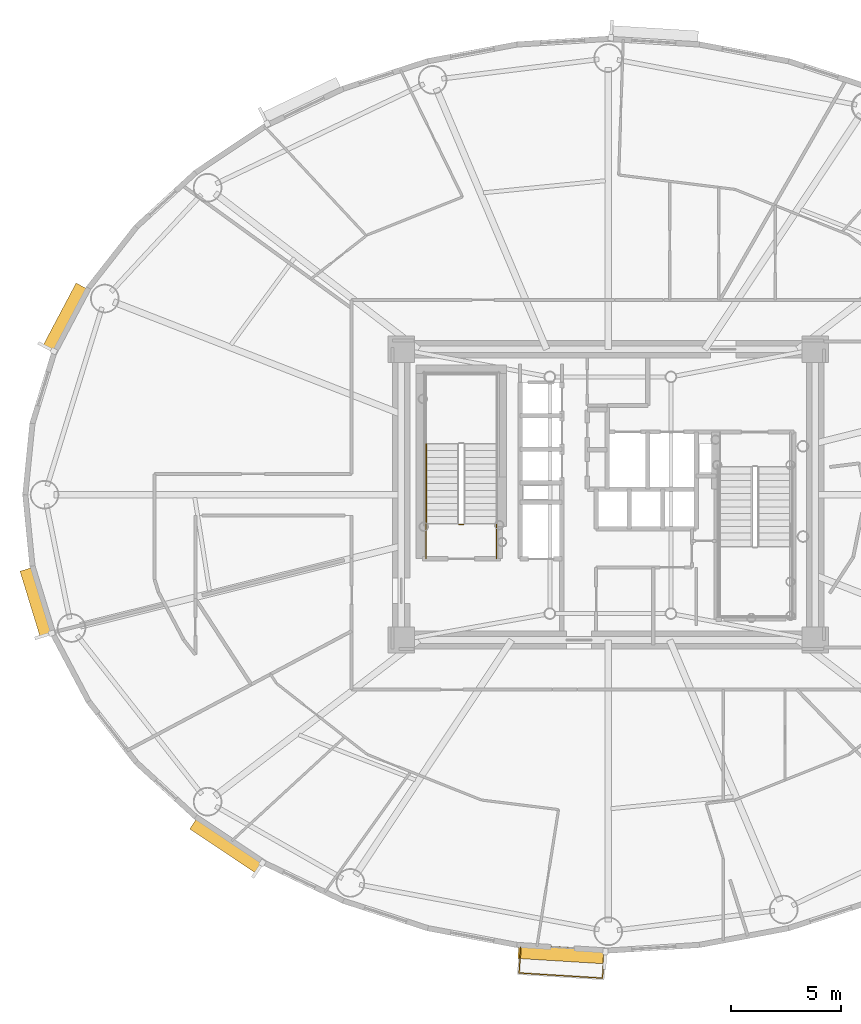
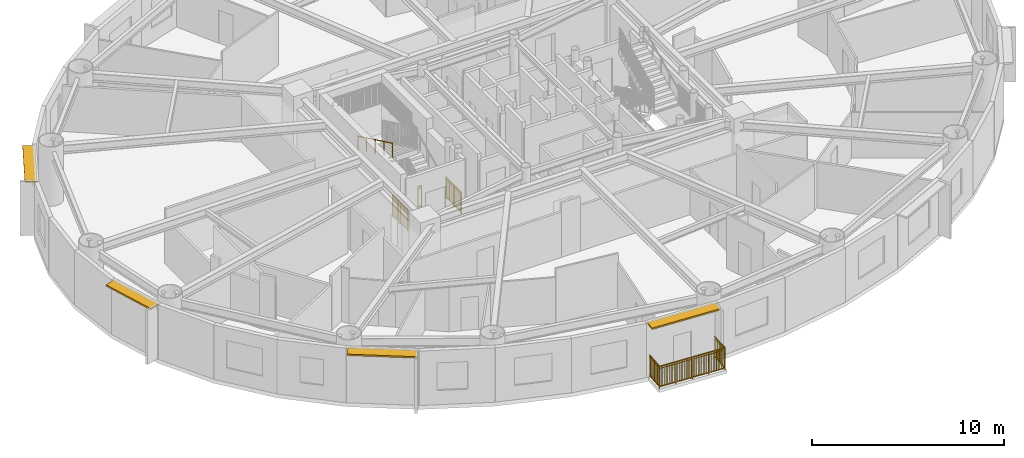
# One storey, part 12 of 17: 5 railings, 4 shading devices.
"""IFC4 building model written with IfcOpenShell, lengths in metres."""

from ifc_helpers import new_model, si_unit, direction, frame, origin, origin_2d, place, context, subcontext, project, spatial, rectangle, extrude, source, transform, mapped, material, layer, layer_set, type_object, element, save


model = new_model("IFC4")

# Units and contexts
model_context = context("Model", 3, precision=1e-05, world=origin(), true_north=direction((0.0, 1.0)))
body_context = subcontext(model_context, "Body", "Model", "MODEL_VIEW")
ifc_project = project(units=[si_unit("LENGTHUNIT", "METRE"), si_unit("AREAUNIT", "SQUARE_METRE"), si_unit("VOLUMEUNIT", "CUBIC_METRE"), si_unit("PLANEANGLEUNIT", "RADIAN"), si_unit("MASSUNIT", "GRAM", prefix="KILO")], contexts=[model_context])

# Site, building, storey
site_placement = place(None, origin())
site = spatial("IfcSite", under=ifc_project, at=site_placement, CompositionType="ELEMENT")
building_placement = place(site_placement, origin())
building = spatial("IfcBuilding", under=site, at=building_placement, Name="Linh Dai School and Residence Tower", CompositionType="ELEMENT")
storey_placement = place(building_placement, frame((0.0, 0.0, 201.14990234375)))
storey = spatial("IfcBuildingStorey", under=building, at=storey_placement, Name="L49", CompositionType="ELEMENT", Elevation=201.14990234375)

# Shading devices
ifc_material_1 = material(Name="Terracotta Ceramic Sunshade", Category="masonry")
ifc_layer = layer(ifc_material_1, 0.10009765625)
ifc_layer_set = layer_set([ifc_layer], Name="Terracotta Ceramic Sunshade")
shading_device_type = type_object("IfcShadingDeviceType", Name="SHD-TC-650", PredefinedType="USERDEFINED", material=ifc_layer_set)
shared_shape_1 = source(origin(), body_context, "Body", "SweptSolid", [
    extrude(rectangle(XDim=3.168212890625, YDim=0.64990234375, at=origin_2d()), origin(), (0.0, 0.0, 1.0), 0.10009765625),
])
shading_device_1_placement = place(storey_placement, frame((10.061279296875, 22.105224609375, 3.330078125), z_axis=(0.0, 0.0, 1.0), x_axis=(-0.293121969301, 0.956075055167, 0.0)))
element("IfcShadingDevice", 1, at=shading_device_1_placement, inside=storey, type_object=shading_device_type, Name="L49 Terracotta Horizontal Sunshade Band 22", ObjectType="SUNSHADE", PredefinedType="USERDEFINED", context=body_context, shape_type="MappedRepresentation", body=[
    mapped(shared_shape_1, transform((0.0, 0.0, 0.0), x_axis=(1.0, 0.0, 0.0), y_axis=(0.0, 1.0, 0.0), z_axis=(0.0, 0.0, 1.0), scale=1.0)),
])
shared_shape_2 = source(origin(), body_context, "Body", "SweptSolid", [
    extrude(rectangle(XDim=3.64794921875, YDim=0.64990234375, at=origin_2d()), origin(), (0.0, 0.0, 1.0), 0.10009765625),
])
shading_device_2_placement = place(storey_placement, frame((18.68896484375, 11.076171875, 3.330078125), z_axis=(0.0, 0.0, 1.0), x_axis=(-0.831228338651, 0.555931154932, 0.0)))
element("IfcShadingDevice", 2, at=shading_device_2_placement, inside=storey, type_object=shading_device_type, Name="L49 Terracotta Horizontal Sunshade Band 26", ObjectType="SUNSHADE", PredefinedType="USERDEFINED", context=body_context, shape_type="MappedRepresentation", body=[
    mapped(shared_shape_2, transform((0.0, 0.0, 0.0), x_axis=(1.0, 0.0, 0.0), y_axis=(0.0, 1.0, 0.0), z_axis=(0.0, 0.0, 1.0), scale=1.0)),
])
shared_shape_3 = source(origin(), body_context, "Body", "SweptSolid", [
    extrude(rectangle(XDim=3.987548828125, YDim=0.64990234375, at=origin_2d()), origin(), (0.0, 0.0, 1.0), 0.10009765625),
])
shading_device_3_placement = place(storey_placement, frame((33.90966796875, 6.13818359375, 3.330078125), z_axis=(0.0, 0.0, 1.0), x_axis=(-0.99810632076, 0.061512376467, 0.0)))
element("IfcShadingDevice", 3, at=shading_device_3_placement, inside=storey, type_object=shading_device_type, Name="L49 Terracotta Horizontal Sunshade Band 30", ObjectType="SUNSHADE", PredefinedType="USERDEFINED", context=body_context, shape_type="MappedRepresentation", body=[
    mapped(shared_shape_3, transform((0.0, 0.0, 0.0), x_axis=(1.0, 0.0, 0.0), y_axis=(0.0, 1.0, 0.0), z_axis=(0.0, 0.0, 1.0), scale=1.0)),
])
shared_shape_4 = source(origin(), body_context, "Body", "SweptSolid", [
    extrude(rectangle(XDim=3.257568359375, YDim=0.64990234375, at=origin_2d()), origin(), (0.0, 0.0, 1.0), 0.10009765625),
])
shading_device_4_placement = place(storey_placement, frame((11.358642578125, 35.02197265625, 3.330078125), z_axis=(0.0, 0.0, 1.0), x_axis=(0.467580060884, 0.883950726378, 0.0)))
element("IfcShadingDevice", 4, at=shading_device_4_placement, inside=storey, type_object=shading_device_type, Name="L49 Terracotta Horizontal Sunshade Band 18", ObjectType="SUNSHADE", PredefinedType="USERDEFINED", context=body_context, shape_type="MappedRepresentation", body=[
    mapped(shared_shape_4, transform((0.0, 0.0, 0.0), x_axis=(1.0, 0.0, 0.0), y_axis=(0.0, 1.0, 0.0), z_axis=(0.0, 0.0, 1.0), scale=1.0)),
])

# Railings
ifc_material_2 = material(Name="Structural Steel S355JR", Category="steel")
railing_type_1 = type_object("IfcRailingType", Name="RL-BAL-1400", PredefinedType="BALUSTRADE", material=ifc_material_2)
shared_shape_5 = source(origin(), body_context, "Body", "SweptSolid", [
    extrude(rectangle(XDim=0.048095703125, YDim=0.048095703125, at=origin_2d()), frame((0.0, 0.0, 1.3759765625), z_axis=(-0.061656929038, -0.99809740161, 0.0), x_axis=(0.99809740161, -0.061656929038, 0.0)), (0.0, 0.0, 1.0), 1.179931640625),
    extrude(rectangle(XDim=0.048095703125, YDim=0.048095703125, at=origin_2d()), frame((0.0, 0.0, 0.10009765625), z_axis=(-0.061656929038, -0.99809740161, 0.0), x_axis=(0.99809740161, -0.061656929038, 0.0)), (0.0, 0.0, 1.0), 1.179931640625),
    extrude(rectangle(XDim=0.030029296875, YDim=0.030029296875, at=origin_2d()), frame((0.0, 0.0, 1.239990234375), z_axis=(-0.061656929038, -0.99809740161, 0.0), x_axis=(0.99809740161, -0.061656929038, 0.0)), (0.0, 0.0, 1.0), 1.179931640625),
    extrude(rectangle(XDim=0.02001953125, YDim=0.02001953125, at=origin_2d()), frame((-0.005615234375, -0.090576171875, 0.10009765625)), (0.0, 0.0, 1.0), 1.251708984375),
    extrude(rectangle(XDim=0.02001953125, YDim=0.02001953125, at=origin_2d()), frame((-0.01123046875, -0.18115234375, 0.10009765625)), (0.0, 0.0, 1.0), 1.251708984375),
    extrude(rectangle(XDim=0.02001953125, YDim=0.02001953125, at=origin_2d()), frame((-0.016845703125, -0.271728515625, 0.10009765625)), (0.0, 0.0, 1.0), 1.251708984375),
    extrude(rectangle(XDim=0.02001953125, YDim=0.02001953125, at=origin_2d()), frame((-0.0224609375, -0.3623046875, 0.10009765625)), (0.0, 0.0, 1.0), 1.251708984375),
    extrude(rectangle(XDim=0.02001953125, YDim=0.02001953125, at=origin_2d()), frame((-0.028076171875, -0.452880859375, 0.10009765625)), (0.0, 0.0, 1.0), 1.251708984375),
    extrude(rectangle(XDim=0.02001953125, YDim=0.02001953125, at=origin_2d()), frame((-0.03369140625, -0.54345703125, 0.10009765625)), (0.0, 0.0, 1.0), 1.251708984375),
    extrude(rectangle(XDim=0.02001953125, YDim=0.02001953125, at=origin_2d()), frame((-0.0390625, -0.63427734375, 0.10009765625)), (0.0, 0.0, 1.0), 1.251708984375),
    extrude(rectangle(XDim=0.02001953125, YDim=0.02001953125, at=origin_2d()), frame((-0.044677734375, -0.724853515625, 0.10009765625)), (0.0, 0.0, 1.0), 1.251708984375),
    extrude(rectangle(XDim=0.02001953125, YDim=0.02001953125, at=origin_2d()), frame((-0.05029296875, -0.8154296875, 0.10009765625)), (0.0, 0.0, 1.0), 1.251708984375),
    extrude(rectangle(XDim=0.02001953125, YDim=0.02001953125, at=origin_2d()), frame((-0.055908203125, -0.906005859375, 0.10009765625)), (0.0, 0.0, 1.0), 1.251708984375),
    extrude(rectangle(XDim=0.02001953125, YDim=0.02001953125, at=origin_2d()), frame((-0.0615234375, -0.99658203125, 0.10009765625)), (0.0, 0.0, 1.0), 1.251708984375),
    extrude(rectangle(XDim=0.02001953125, YDim=0.02001953125, at=origin_2d()), frame((-0.067138671875, -1.087158203125, 0.10009765625)), (0.0, 0.0, 1.0), 1.251708984375),
    extrude(rectangle(XDim=0.048095703125, YDim=0.048095703125, at=origin_2d()), frame((-0.07275390625, -1.177734375, 1.3759765625), z_axis=(-0.998105551914, 0.061524850579, 0.0), x_axis=(-0.061524850579, -0.998105551914, 0.0)), (0.0, 0.0, 1.0), 3.79345703125),
    extrude(rectangle(XDim=0.048095703125, YDim=0.048095703125, at=origin_2d()), frame((-0.07275390625, -1.177734375, 0.10009765625), z_axis=(-0.998105551914, 0.061524850579, 0.0), x_axis=(-0.061524850579, -0.998105551914, 0.0)), (0.0, 0.0, 1.0), 3.79345703125),
    extrude(rectangle(XDim=0.030029296875, YDim=0.030029296875, at=origin_2d()), frame((-0.07275390625, -1.177734375, 1.239990234375), z_axis=(-0.998105551914, 0.061524850579, 0.0), x_axis=(-0.061524850579, -0.998105551914, 0.0)), (0.0, 0.0, 1.0), 3.79345703125),
    extrude(rectangle(XDim=0.02001953125, YDim=0.02001953125, at=origin_2d()), frame((-0.169921875, -1.171630859375, 0.10009765625)), (0.0, 0.0, 1.0), 1.251708984375),
    extrude(rectangle(XDim=0.02001953125, YDim=0.02001953125, at=origin_2d()), frame((-0.266845703125, -1.165771484375, 0.10009765625)), (0.0, 0.0, 1.0), 1.251708984375),
    extrude(rectangle(XDim=0.02001953125, YDim=0.02001953125, at=origin_2d()), frame((-0.364013671875, -1.15966796875, 0.10009765625)), (0.0, 0.0, 1.0), 1.251708984375),
    extrude(rectangle(XDim=0.02001953125, YDim=0.02001953125, at=origin_2d()), frame((-0.461181640625, -1.15380859375, 0.10009765625)), (0.0, 0.0, 1.0), 1.251708984375),
    extrude(rectangle(XDim=0.02001953125, YDim=0.02001953125, at=origin_2d()), frame((-0.55810546875, -1.147705078125, 0.10009765625)), (0.0, 0.0, 1.0), 1.251708984375),
    extrude(rectangle(XDim=0.02001953125, YDim=0.02001953125, at=origin_2d()), frame((-0.6552734375, -1.141845703125, 0.10009765625)), (0.0, 0.0, 1.0), 1.251708984375),
    extrude(rectangle(XDim=0.02001953125, YDim=0.02001953125, at=origin_2d()), frame((-0.75244140625, -1.1357421875, 0.10009765625)), (0.0, 0.0, 1.0), 1.251708984375),
    extrude(rectangle(XDim=0.02001953125, YDim=0.02001953125, at=origin_2d()), frame((-0.849365234375, -1.1298828125, 0.10009765625)), (0.0, 0.0, 1.0), 1.251708984375),
    extrude(rectangle(XDim=0.02001953125, YDim=0.02001953125, at=origin_2d()), frame((-0.946533203125, -1.123779296875, 0.10009765625)), (0.0, 0.0, 1.0), 1.251708984375),
    extrude(rectangle(XDim=0.02001953125, YDim=0.02001953125, at=origin_2d()), frame((-1.140625, -1.11181640625, 0.10009765625)), (0.0, 0.0, 1.0), 1.251708984375),
    extrude(rectangle(XDim=0.02001953125, YDim=0.02001953125, at=origin_2d()), frame((-1.23779296875, -1.10595703125, 0.10009765625)), (0.0, 0.0, 1.0), 1.251708984375),
    extrude(rectangle(XDim=0.02001953125, YDim=0.02001953125, at=origin_2d()), frame((-1.3349609375, -1.099853515625, 0.10009765625)), (0.0, 0.0, 1.0), 1.251708984375),
    extrude(rectangle(XDim=0.02001953125, YDim=0.02001953125, at=origin_2d()), frame((-1.431884765625, -1.093994140625, 0.10009765625)), (0.0, 0.0, 1.0), 1.251708984375),
    extrude(rectangle(XDim=0.02001953125, YDim=0.02001953125, at=origin_2d()), frame((-1.529052734375, -1.087890625, 0.10009765625)), (0.0, 0.0, 1.0), 1.251708984375),
    extrude(rectangle(XDim=0.02001953125, YDim=0.02001953125, at=origin_2d()), frame((-1.626220703125, -1.08203125, 0.10009765625)), (0.0, 0.0, 1.0), 1.251708984375),
    extrude(rectangle(XDim=0.02001953125, YDim=0.02001953125, at=origin_2d()), frame((-1.72314453125, -1.075927734375, 0.10009765625)), (0.0, 0.0, 1.0), 1.251708984375),
    extrude(rectangle(XDim=0.02001953125, YDim=0.02001953125, at=origin_2d()), frame((-1.8203125, -1.070068359375, 0.10009765625)), (0.0, 0.0, 1.0), 1.251708984375),
    extrude(rectangle(XDim=0.02001953125, YDim=0.02001953125, at=origin_2d()), frame((-1.91748046875, -1.06396484375, 0.10009765625)), (0.0, 0.0, 1.0), 1.251708984375),
    extrude(rectangle(XDim=0.02001953125, YDim=0.02001953125, at=origin_2d()), frame((-2.014404296875, -1.05810546875, 0.10009765625)), (0.0, 0.0, 1.0), 1.251708984375),
    extrude(rectangle(XDim=0.02001953125, YDim=0.02001953125, at=origin_2d()), frame((-2.111572265625, -1.052001953125, 0.10009765625)), (0.0, 0.0, 1.0), 1.251708984375),
    extrude(rectangle(XDim=0.02001953125, YDim=0.02001953125, at=origin_2d()), frame((-2.208740234375, -1.046142578125, 0.10009765625)), (0.0, 0.0, 1.0), 1.251708984375),
    extrude(rectangle(XDim=0.02001953125, YDim=0.02001953125, at=origin_2d()), frame((-2.3056640625, -1.0400390625, 0.10009765625)), (0.0, 0.0, 1.0), 1.251708984375),
    extrude(rectangle(XDim=0.02001953125, YDim=0.02001953125, at=origin_2d()), frame((-2.40283203125, -1.0341796875, 0.10009765625)), (0.0, 0.0, 1.0), 1.251708984375),
    extrude(rectangle(XDim=0.02001953125, YDim=0.02001953125, at=origin_2d()), frame((-2.5, -1.028076171875, 0.10009765625)), (0.0, 0.0, 1.0), 1.251708984375),
    extrude(rectangle(XDim=0.02001953125, YDim=0.02001953125, at=origin_2d()), frame((-2.596923828125, -1.022216796875, 0.10009765625)), (0.0, 0.0, 1.0), 1.251708984375),
    extrude(rectangle(XDim=0.02001953125, YDim=0.02001953125, at=origin_2d()), frame((-2.694091796875, -1.01611328125, 0.10009765625)), (0.0, 0.0, 1.0), 1.251708984375),
    extrude(rectangle(XDim=0.02001953125, YDim=0.02001953125, at=origin_2d()), frame((-2.791259765625, -1.01025390625, 0.10009765625)), (0.0, 0.0, 1.0), 1.251708984375),
    extrude(rectangle(XDim=0.02001953125, YDim=0.02001953125, at=origin_2d()), frame((-2.9853515625, -0.998291015625, 0.10009765625)), (0.0, 0.0, 1.0), 1.251708984375),
    extrude(rectangle(XDim=0.02001953125, YDim=0.02001953125, at=origin_2d()), frame((-3.08251953125, -0.9921875, 0.10009765625)), (0.0, 0.0, 1.0), 1.251708984375),
    extrude(rectangle(XDim=0.02001953125, YDim=0.02001953125, at=origin_2d()), frame((-3.179443359375, -0.986328125, 0.10009765625)), (0.0, 0.0, 1.0), 1.251708984375),
    extrude(rectangle(XDim=0.02001953125, YDim=0.02001953125, at=origin_2d()), frame((-3.276611328125, -0.980224609375, 0.10009765625)), (0.0, 0.0, 1.0), 1.251708984375),
    extrude(rectangle(XDim=0.02001953125, YDim=0.02001953125, at=origin_2d()), frame((-3.373779296875, -0.974365234375, 0.10009765625)), (0.0, 0.0, 1.0), 1.251708984375),
    extrude(rectangle(XDim=0.02001953125, YDim=0.02001953125, at=origin_2d()), frame((-3.470703125, -0.96826171875, 0.10009765625)), (0.0, 0.0, 1.0), 1.251708984375),
    extrude(rectangle(XDim=0.02001953125, YDim=0.02001953125, at=origin_2d()), frame((-3.56787109375, -0.96240234375, 0.10009765625)), (0.0, 0.0, 1.0), 1.251708984375),
    extrude(rectangle(XDim=0.02001953125, YDim=0.02001953125, at=origin_2d()), frame((-3.6650390625, -0.956298828125, 0.10009765625)), (0.0, 0.0, 1.0), 1.251708984375),
    extrude(rectangle(XDim=0.02001953125, YDim=0.02001953125, at=origin_2d()), frame((-3.761962890625, -0.950439453125, 0.10009765625)), (0.0, 0.0, 1.0), 1.251708984375),
    extrude(rectangle(XDim=0.048095703125, YDim=0.048095703125, at=origin_2d()), frame((-3.859130859375, -0.9443359375, 1.3759765625), z_axis=(0.061450809207, 0.998110113188, 0.0), x_axis=(-0.998110113188, 0.061450809207, 0.0)), (0.0, 0.0, 1.0), 1.179931640625),
    extrude(rectangle(XDim=0.048095703125, YDim=0.048095703125, at=origin_2d()), frame((-3.859130859375, -0.9443359375, 0.10009765625), z_axis=(0.061450809207, 0.998110113188, 0.0), x_axis=(-0.998110113188, 0.061450809207, 0.0)), (0.0, 0.0, 1.0), 1.179931640625),
    extrude(rectangle(XDim=0.030029296875, YDim=0.030029296875, at=origin_2d()), frame((-3.859130859375, -0.9443359375, 1.239990234375), z_axis=(0.061450809207, 0.998110113188, 0.0), x_axis=(-0.998110113188, 0.061450809207, 0.0)), (0.0, 0.0, 1.0), 1.179931640625),
    extrude(rectangle(XDim=0.02001953125, YDim=0.02001953125, at=origin_2d()), frame((-3.853515625, -0.853759765625, 0.10009765625)), (0.0, 0.0, 1.0), 1.251708984375),
    extrude(rectangle(XDim=0.02001953125, YDim=0.02001953125, at=origin_2d()), frame((-3.847900390625, -0.76318359375, 0.10009765625)), (0.0, 0.0, 1.0), 1.251708984375),
    extrude(rectangle(XDim=0.02001953125, YDim=0.02001953125, at=origin_2d()), frame((-3.84228515625, -0.672607421875, 0.10009765625)), (0.0, 0.0, 1.0), 1.251708984375),
    extrude(rectangle(XDim=0.02001953125, YDim=0.02001953125, at=origin_2d()), frame((-3.8369140625, -0.58203125, 0.10009765625)), (0.0, 0.0, 1.0), 1.251708984375),
    extrude(rectangle(XDim=0.02001953125, YDim=0.02001953125, at=origin_2d()), frame((-3.831298828125, -0.491455078125, 0.10009765625)), (0.0, 0.0, 1.0), 1.251708984375),
    extrude(rectangle(XDim=0.02001953125, YDim=0.02001953125, at=origin_2d()), frame((-3.82568359375, -0.40087890625, 0.10009765625)), (0.0, 0.0, 1.0), 1.251708984375),
    extrude(rectangle(XDim=0.02001953125, YDim=0.02001953125, at=origin_2d()), frame((-3.820068359375, -0.31005859375, 0.10009765625)), (0.0, 0.0, 1.0), 1.251708984375),
    extrude(rectangle(XDim=0.02001953125, YDim=0.02001953125, at=origin_2d()), frame((-3.814453125, -0.219482421875, 0.10009765625)), (0.0, 0.0, 1.0), 1.251708984375),
    extrude(rectangle(XDim=0.02001953125, YDim=0.02001953125, at=origin_2d()), frame((-3.808837890625, -0.12890625, 0.10009765625)), (0.0, 0.0, 1.0), 1.251708984375),
    extrude(rectangle(XDim=0.02001953125, YDim=0.02001953125, at=origin_2d()), frame((-3.803466796875, -0.038330078125, 0.10009765625)), (0.0, 0.0, 1.0), 1.251708984375),
    extrude(rectangle(XDim=0.02001953125, YDim=0.02001953125, at=origin_2d()), frame((-3.7978515625, 0.05224609375, 0.10009765625)), (0.0, 0.0, 1.0), 1.251708984375),
    extrude(rectangle(XDim=0.02001953125, YDim=0.02001953125, at=origin_2d()), frame((-3.792236328125, 0.142822265625, 0.10009765625)), (0.0, 0.0, 1.0), 1.251708984375),
    extrude(rectangle(XDim=0.0419921875, YDim=0.0419921875, at=origin_2d()), origin(), (0.0, 0.0, 1.0), 1.3759765625),
    extrude(rectangle(XDim=0.0419921875, YDim=0.0419921875, at=origin_2d()), frame((-0.07275390625, -1.177734375, 0.0)), (0.0, 0.0, 1.0), 1.3759765625),
    extrude(rectangle(XDim=0.0419921875, YDim=0.0419921875, at=origin_2d()), frame((-1.019287109375, -1.119384765625, 0.0)), (0.0, 0.0, 1.0), 1.3759765625),
    extrude(rectangle(XDim=0.0419921875, YDim=0.0419921875, at=origin_2d()), frame((-1.9658203125, -1.06103515625, 0.0)), (0.0, 0.0, 1.0), 1.3759765625),
    extrude(rectangle(XDim=0.0419921875, YDim=0.0419921875, at=origin_2d()), frame((-2.91259765625, -1.002685546875, 0.0)), (0.0, 0.0, 1.0), 1.3759765625),
    extrude(rectangle(XDim=0.0419921875, YDim=0.0419921875, at=origin_2d()), frame((-3.859130859375, -0.9443359375, 0.0)), (0.0, 0.0, 1.0), 1.3759765625),
    extrude(rectangle(XDim=0.0419921875, YDim=0.0419921875, at=origin_2d()), frame((-3.78662109375, 0.2333984375, 0.0)), (0.0, 0.0, 1.0), 1.3759765625),
])
railing_1_placement = place(storey_placement, frame((35.815185546875, 6.22119140625, 0.0)))
element("IfcRailing", 5, at=railing_1_placement, inside=storey, type_object=railing_type_1, Name="L49 Balcony Safety Balustrade 30", PredefinedType="BALUSTRADE", context=body_context, shape_type="MappedRepresentation", body=[
    mapped(shared_shape_5, transform((0.0, 0.0, 0.0), x_axis=(1.0, 0.0, 0.0), y_axis=(0.0, 1.0, 0.0), z_axis=(0.0, 0.0, 1.0), scale=1.0)),
])
railing_type_2 = type_object("IfcRailingType", Name="RL-ST-GUARD-1400", PredefinedType="GUARDRAIL", material=ifc_material_2)
shared_shape_6 = source(origin(), body_context, "Body", "SweptSolid", [
    extrude(rectangle(XDim=0.048095703125, YDim=0.048095703125, at=origin_2d()), frame((0.0, 0.0, 1.3759765625), z_axis=(-1.0, 0.0, 0.0), x_axis=(0.0, -1.0, 0.0)), (0.0, 0.0, 1.0), 0.199951171875),
    extrude(rectangle(XDim=0.048095703125, YDim=0.048095703125, at=origin_2d()), frame((0.0, 0.0, 0.10009765625), z_axis=(-1.0, 0.0, 0.0), x_axis=(0.0, -1.0, 0.0)), (0.0, 0.0, 1.0), 0.199951171875),
    extrude(rectangle(XDim=0.030029296875, YDim=0.030029296875, at=origin_2d()), frame((0.0, 0.0, 1.239990234375), z_axis=(-1.0, 0.0, 0.0), x_axis=(0.0, -1.0, 0.0)), (0.0, 0.0, 1.0), 0.199951171875),
    extrude(rectangle(XDim=0.0419921875, YDim=0.0419921875, at=origin_2d()), origin(), (0.0, 0.0, 1.0), 1.3759765625),
    extrude(rectangle(XDim=0.0419921875, YDim=0.0419921875, at=origin_2d()), frame((-0.199951171875, 0.0, 0.0)), (0.0, 0.0, 1.0), 1.3759765625),
])
railing_2_placement = place(storey_placement, frame((29.429931640625, 25.64990234375, 0.0)))
element("IfcRailing", 6, at=railing_2_placement, inside=storey, type_object=railing_type_2, Name="L49 ST1 stair guard 7", PredefinedType="GUARDRAIL", context=body_context, shape_type="MappedRepresentation", body=[
    mapped(shared_shape_6, transform((0.0, 0.0, 0.0), x_axis=(1.0, 0.0, 0.0), y_axis=(0.0, 1.0, 0.0), z_axis=(0.0, 0.0, 1.0), scale=1.0)),
])
shared_shape_7 = source(origin(), body_context, "Body", "SweptSolid", [
    extrude(rectangle(XDim=0.048095703125, YDim=0.048095703125, at=origin_2d()), frame((0.0, 0.0, 1.3759765625), z_axis=(0.0, 1.0, 0.0), x_axis=(-1.0, 0.0, 0.0)), (0.0, 0.0, 1.0), 1.599853515625),
    extrude(rectangle(XDim=0.048095703125, YDim=0.048095703125, at=origin_2d()), frame((0.0, 0.0, 0.10009765625), z_axis=(0.0, 1.0, 0.0), x_axis=(-1.0, 0.0, 0.0)), (0.0, 0.0, 1.0), 1.599853515625),
    extrude(rectangle(XDim=0.030029296875, YDim=0.030029296875, at=origin_2d()), frame((0.0, 0.0, 1.239990234375), z_axis=(0.0, 1.0, 0.0), x_axis=(-1.0, 0.0, 0.0)), (0.0, 0.0, 1.0), 1.599853515625),
    extrude(rectangle(XDim=0.02001953125, YDim=0.02001953125, at=origin_2d()), frame((0.0, 0.093994140625, 0.10009765625)), (0.0, 0.0, 1.0), 1.251708984375),
    extrude(rectangle(XDim=0.02001953125, YDim=0.02001953125, at=origin_2d()), frame((0.0, 0.188232421875, 0.10009765625)), (0.0, 0.0, 1.0), 1.251708984375),
    extrude(rectangle(XDim=0.02001953125, YDim=0.02001953125, at=origin_2d()), frame((0.0, 0.2822265625, 0.10009765625)), (0.0, 0.0, 1.0), 1.251708984375),
    extrude(rectangle(XDim=0.02001953125, YDim=0.02001953125, at=origin_2d()), frame((0.0, 0.37646484375, 0.10009765625)), (0.0, 0.0, 1.0), 1.251708984375),
    extrude(rectangle(XDim=0.02001953125, YDim=0.02001953125, at=origin_2d()), frame((0.0, 0.470458984375, 0.10009765625)), (0.0, 0.0, 1.0), 1.251708984375),
    extrude(rectangle(XDim=0.02001953125, YDim=0.02001953125, at=origin_2d()), frame((0.0, 0.564697265625, 0.10009765625)), (0.0, 0.0, 1.0), 1.251708984375),
    extrude(rectangle(XDim=0.02001953125, YDim=0.02001953125, at=origin_2d()), frame((0.0, 0.65869140625, 0.10009765625)), (0.0, 0.0, 1.0), 1.251708984375),
    extrude(rectangle(XDim=0.02001953125, YDim=0.02001953125, at=origin_2d()), frame((0.0, 0.7529296875, 0.10009765625)), (0.0, 0.0, 1.0), 1.251708984375),
    extrude(rectangle(XDim=0.02001953125, YDim=0.02001953125, at=origin_2d()), frame((0.0, 0.846923828125, 0.10009765625)), (0.0, 0.0, 1.0), 1.251708984375),
    extrude(rectangle(XDim=0.02001953125, YDim=0.02001953125, at=origin_2d()), frame((0.0, 0.941162109375, 0.10009765625)), (0.0, 0.0, 1.0), 1.251708984375),
    extrude(rectangle(XDim=0.02001953125, YDim=0.02001953125, at=origin_2d()), frame((0.0, 1.03515625, 0.10009765625)), (0.0, 0.0, 1.0), 1.251708984375),
    extrude(rectangle(XDim=0.02001953125, YDim=0.02001953125, at=origin_2d()), frame((0.0, 1.12939453125, 0.10009765625)), (0.0, 0.0, 1.0), 1.251708984375),
    extrude(rectangle(XDim=0.02001953125, YDim=0.02001953125, at=origin_2d()), frame((0.0, 1.223388671875, 0.10009765625)), (0.0, 0.0, 1.0), 1.251708984375),
    extrude(rectangle(XDim=0.02001953125, YDim=0.02001953125, at=origin_2d()), frame((0.0, 1.317626953125, 0.10009765625)), (0.0, 0.0, 1.0), 1.251708984375),
    extrude(rectangle(XDim=0.02001953125, YDim=0.02001953125, at=origin_2d()), frame((0.0, 1.41162109375, 0.10009765625)), (0.0, 0.0, 1.0), 1.251708984375),
    extrude(rectangle(XDim=0.02001953125, YDim=0.02001953125, at=origin_2d()), frame((0.0, 1.505859375, 0.10009765625)), (0.0, 0.0, 1.0), 1.251708984375),
    extrude(rectangle(XDim=0.0419921875, YDim=0.0419921875, at=origin_2d()), origin(), (0.0, 0.0, 1.0), 1.3759765625),
    extrude(rectangle(XDim=0.0419921875, YDim=0.0419921875, at=origin_2d()), frame((0.0, 0.7998046875, 0.0)), (0.0, 0.0, 1.0), 1.3759765625),
    extrude(rectangle(XDim=0.0419921875, YDim=0.0419921875, at=origin_2d()), frame((0.0, 1.599853515625, 0.0)), (0.0, 0.0, 1.0), 1.3759765625),
])
for number, where, name in (
    (7, (30.929931640625, 24.10009765625, 0.0), "L49 ST1 stair guard 8"),
    (8, (27.72998046875, 24.10009765625, 0.0), "L49 ST1 stair guard 9"),
):
    element("IfcRailing", number, at=place(storey_placement, frame(where)), inside=storey, type_object=railing_type_2, Name=name, PredefinedType="GUARDRAIL", context=body_context, shape_type="MappedRepresentation", body=[
        mapped(shared_shape_7, transform((0.0, 0.0, 0.0), x_axis=(1.0, 0.0, 0.0), y_axis=(0.0, 1.0, 0.0), z_axis=(0.0, 0.0, 1.0), scale=1.0)),
    ])
ifc_material_3 = material(Name="Brushed Stainless Steel Handrail", Category="steel")
railing_type_3 = type_object("IfcRailingType", Name="RL-ST-HANDRAIL-900", PredefinedType="HANDRAIL", material=ifc_material_3)
shared_shape_8 = source(origin(), body_context, "Body", "SweptSolid", [
    extrude(rectangle(XDim=0.048095703125, YDim=0.048095703125, at=origin_2d()), frame((0.0, 0.0, 0.8759765625), z_axis=(0.0, -0.901262522062, 0.433273431364), x_axis=(1.0, 0.0, 0.0)), (0.0, 0.0, 1.0), 3.994384765625),
    extrude(rectangle(XDim=0.0419921875, YDim=0.0419921875, at=origin_2d()), origin(), (0.0, 0.0, 1.0), 0.8759765625),
    extrude(rectangle(XDim=0.0419921875, YDim=0.0419921875, at=origin_2d()), frame((0.0, -0.89990234375, 0.4326171875)), (0.0, 0.0, 1.0), 0.8759765625),
    extrude(rectangle(XDim=0.0419921875, YDim=0.0419921875, at=origin_2d()), frame((0.0, -1.800048828125, 0.865234375)), (0.0, 0.0, 1.0), 0.8759765625),
    extrude(rectangle(XDim=0.0419921875, YDim=0.0419921875, at=origin_2d()), frame((0.0, -2.7001953125, 1.298095703125)), (0.0, 0.0, 1.0), 0.8759765625),
    extrude(rectangle(XDim=0.0419921875, YDim=0.0419921875, at=origin_2d()), frame((0.0, -3.60009765625, 1.730712890625)), (0.0, 0.0, 1.0), 0.8759765625),
])
railing_3_placement = place(storey_placement, frame((27.72998046875, 29.300048828125, 2.019287109375)))
element("IfcRailing", 9, at=railing_3_placement, inside=storey, type_object=railing_type_3, Name="L49 ST1 stair handrail 2", PredefinedType="HANDRAIL", context=body_context, shape_type="MappedRepresentation", body=[
    mapped(shared_shape_8, transform((0.0, 0.0, 0.0), x_axis=(1.0, 0.0, 0.0), y_axis=(0.0, 1.0, 0.0), z_axis=(0.0, 0.0, 1.0), scale=1.0)),
])

save(model, "model.ifc")
